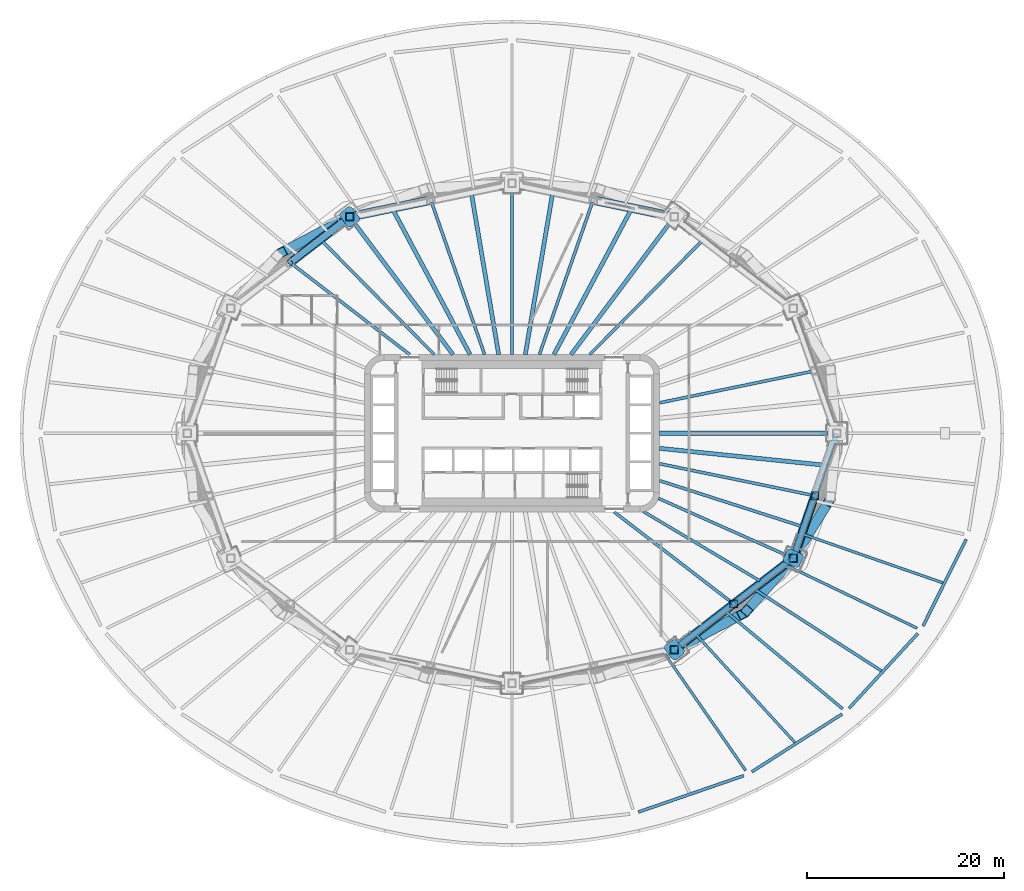
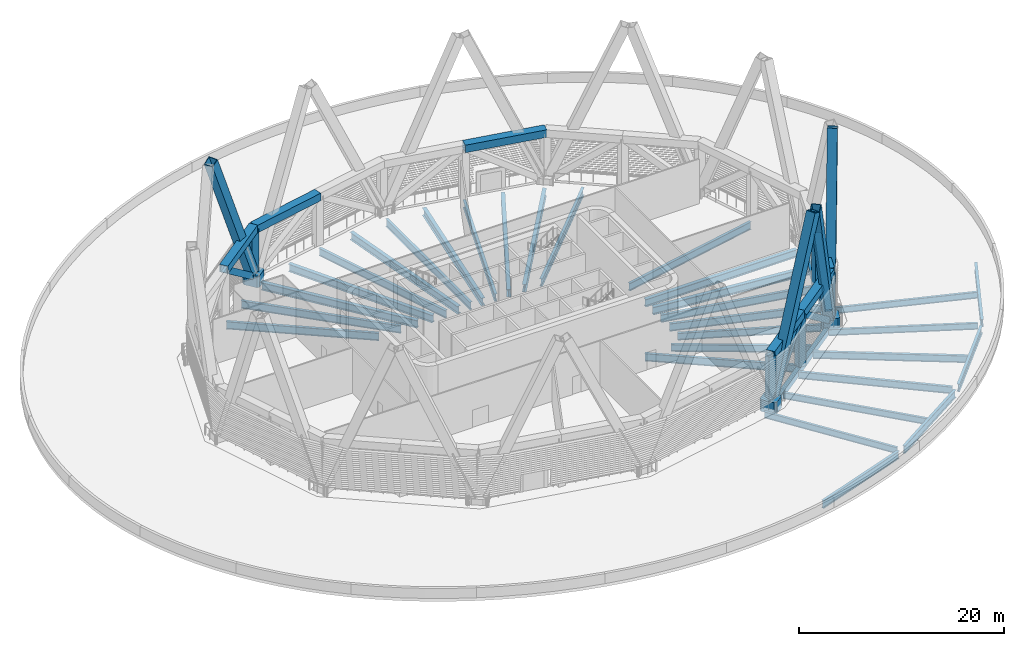
# One storey, part 3 of 27: 32 beams, 22 members.
"""IFC4 building model written with IfcOpenShell, lengths in metres."""

from ifc_helpers import new_model, si_unit, direction, frame, origin, origin_2d, place, context, subcontext, project, spatial, polyline, hollow_rectangle, i_section, outline, extrude, material, material_profile, profile_set, type_object, element, save


model = new_model("IFC4")

# Units and contexts
model_context = context("Model", 3, precision=1e-05, world=origin(), true_north=direction((0.0, 1.0)))
body_context = subcontext(model_context, "Body", "Model", "MODEL_VIEW")
ifc_project = project(units=[si_unit("LENGTHUNIT", "METRE"), si_unit("AREAUNIT", "SQUARE_METRE"), si_unit("VOLUMEUNIT", "CUBIC_METRE"), si_unit("PLANEANGLEUNIT", "RADIAN"), si_unit("MASSUNIT", "GRAM", prefix="KILO")], contexts=[model_context])

# Site, building, storey
site_placement = place(None, origin())
site = spatial("IfcSite", under=ifc_project, at=site_placement, CompositionType="ELEMENT")
building_placement = place(site_placement, origin())
building = spatial("IfcBuilding", under=site, at=building_placement, Name="Sahrelin Media Tower", CompositionType="ELEMENT")
storey_placement = place(building_placement, frame((0.0, 0.0, 44.0)))
storey = spatial("IfcBuildingStorey", under=building, at=storey_placement, Name="L06", CompositionType="ELEMENT", Elevation=44.0)

# Members
ifc_material_1 = material(Name="Steel S460", Category="steel")
ifc_material_profile_1 = material_profile(ifc_material_1, hollow_rectangle(XDim=1.0, YDim=1.0, WallThickness=0.06005859375, at=origin_2d()), Name="Diagrid diagonal DG1")
ifc_profile_set_1 = profile_set([ifc_material_profile_1], Name="Steel S460")
member_type_1 = type_object("IfcMemberType", Name="Diagrid diagonal DG1", PredefinedType="BRACE", material=ifc_profile_set_1)
for number, where, z_axis, x_axis, name in (
    (1, (-16.7646484375, 21.858154296875, 0.699951171875), (-0.347601060043, -0.182475884966, 0.91971520291), (0.464804602076, -0.885413283099, 0.0), "Diagrid diagonal D00-08"),
    (2, (16.7646484375, -21.858154296875, 0.699951171875), (0.347601060043, 0.182475884966, 0.91971520291), (-0.464804602076, 0.885413283099, 0.0), "Diagrid diagonal D00-20"),
):
    element("IfcMember", number, at=place(storey_placement, frame(where, z_axis=z_axis, x_axis=x_axis)), inside=storey, type_object=member_type_1, Name=name, PredefinedType="BRACE", context=body_context, shape_type="SweptSolid", body=[
        extrude(hollow_rectangle(XDim=1.0, YDim=1.0, WallThickness=0.06005859375, at=origin_2d()), origin(), (0.0, 0.0, 1.0), 19.136474609375),
    ])
member_1_placement = place(storey_placement, frame((28.3984375, -12.903564453125, 0.699951171875), z_axis=(-0.240263742988, -0.271151655704, 0.932067654955), x_axis=(0.748449999211, -0.663191223314, 0.0)))
element("IfcMember", 3, at=member_1_placement, inside=storey, type_object=member_type_1, Name="Diagrid diagonal D00-21", PredefinedType="BRACE", context=body_context, shape_type="SweptSolid", body=[
    extrude(hollow_rectangle(XDim=1.0, YDim=1.0, WallThickness=0.06005859375, at=origin_2d()), origin(), (0.0, 0.0, 1.0), 18.8828125),
])
member_2_placement = place(storey_placement, frame((28.7177734375, -12.477783203125, 0.699951171875), z_axis=(0.185846162703, 0.297145993243, 0.936571119835), x_axis=(-0.847831661927, 0.530265474111, 0.0)))
element("IfcMember", 4, at=member_2_placement, inside=storey, type_object=member_type_1, Name="Diagrid diagonal D00-22", PredefinedType="BRACE", context=body_context, shape_type="SweptSolid", body=[
    extrude(hollow_rectangle(XDim=1.0, YDim=1.0, WallThickness=0.06005859375, at=origin_2d()), origin(), (0.0, 0.0, 1.0), 18.7919921875),
])
ifc_material_profile_2 = material_profile(ifc_material_1, outline(polyline([(0.699951171875, -0.75), (0.89990234375, -0.550048828125), (0.89990234375, 0.550048828125), (0.699951171875, 0.75), (-0.699951171875, 0.75), (-0.89990234375, 0.550048828125), (-0.89990234375, -0.550048828125), (-0.699951171875, -0.75), (0.699951171875, -0.75)])), Name="Diagrid node block 1800")
ifc_profile_set_2 = profile_set([ifc_material_profile_2], Name="Steel S460")
member_type_2 = type_object("IfcMemberType", Name="Diagrid node block 1800", PredefinedType="USERDEFINED", material=ifc_profile_set_2)
for number, where, z_axis, x_axis, name in (
    (5, (-16.5, 21.9970703125, -0.699951171875), (0.0, 0.0, 1.0), (-0.600051693363, 0.799961227368, 0.0), "Diagrid node N00-04"),
    (6, (16.5, -21.9970703125, -0.699951171875), (0.0, 0.0, 1.0), (0.600051693363, -0.799961227368, 0.0), "Diagrid node N00-10"),
    (7, (28.578857421875, -12.699951171875, -0.699951171875), (0.0, 0.0, 1.0), (0.913831317054, -0.40609398416, 0.0), "Diagrid node N00-11"),
):
    element("IfcMember", number, at=place(storey_placement, frame(where, z_axis=z_axis, x_axis=x_axis)), inside=storey, type_object=member_type_2, Name=name, ObjectType="NODE", PredefinedType="USERDEFINED", context=body_context, shape_type="SweptSolid", body=[
        extrude(outline(polyline([(0.699951171875, -0.75), (0.89990234375, -0.550048828125), (0.89990234375, 0.550048828125), (0.699951171875, 0.75), (-0.699951171875, 0.75), (-0.89990234375, 0.550048828125), (-0.89990234375, -0.550048828125), (-0.699951171875, -0.75), (0.699951171875, -0.75)])), origin(), (0.0, 0.0, 1.0), 1.39990234375),
    ])

# Beams
ifc_material_profile_3 = material_profile(ifc_material_1, hollow_rectangle(XDim=0.5, YDim=0.699951171875, WallThickness=0.034912109375, at=origin_2d()), Name="Diagrid ring beam RB2")
ifc_profile_set_3 = profile_set([ifc_material_profile_3], Name="Steel S460")
beam_type_1 = type_object("IfcBeamType", Name="Diagrid ring beam RB2", PredefinedType="BEAM", material=ifc_profile_set_3)
beam_1_placement = place(storey_placement, frame((16.5, -21.9970703125, -0.699951171875), z_axis=(0.792443539308, 0.609945273782, 0.0), x_axis=(-0.609945273782, 0.792443539308, 0.0)))
element("IfcBeam", 8, at=beam_1_placement, inside=storey, type_object=beam_type_1, Name="Diagrid ring beam RB00-10", PredefinedType="BEAM", context=body_context, shape_type="SweptSolid", body=[
    extrude(hollow_rectangle(XDim=0.5, YDim=0.699951171875, WallThickness=0.034912109375, at=origin_2d()), origin(), (0.0, 0.0, 1.0), 15.242431640625),
])
beam_2_placement = place(storey_placement, frame((28.578857421875, -12.699951171875, -0.699951171875), z_axis=(0.328770590399, 0.944409815117, 0.0), x_axis=(-0.944409815117, 0.328770590399, 0.0)))
element("IfcBeam", 9, at=beam_2_placement, inside=storey, type_object=beam_type_1, Name="Diagrid ring beam RB00-11", PredefinedType="BEAM", context=body_context, shape_type="SweptSolid", body=[
    extrude(hollow_rectangle(XDim=0.5, YDim=0.699951171875, WallThickness=0.034912109375, at=origin_2d()), origin(), (0.0, 0.0, 1.0), 13.447509765625),
])
ifc_material_2 = material(Name="Steel S355", Category="steel")
ifc_material_profile_4 = material_profile(ifc_material_2, i_section(OverallWidth=0.30322265625, OverallDepth=0.903076171875, WebThickness=0.01513671875, FlangeThickness=0.020263671875, FilletRadius=0.01904296875, at=origin_2d()), Name="UB 914x305x201")
ifc_profile_set_4 = profile_set([ifc_material_profile_4], Name="Steel S355")
beam_type_2 = type_object("IfcBeamType", Name="Podium edge girder PE11", PredefinedType="BEAM", material=ifc_profile_set_4)
beam_3_placement = place(storey_placement, frame((12.848876953125, -38.489990234375, -0.801513671875), z_axis=(0.94527240249, 0.32628221694, 0.0), x_axis=(-0.32628221694, 0.94527240249, 0.0)))
element("IfcBeam", 10, at=beam_3_placement, inside=storey, type_object=beam_type_2, Name="Podium edge girder L06-20", PredefinedType="BEAM", context=body_context, shape_type="SweptSolid", body=[
    extrude(i_section(OverallWidth=0.30322265625, OverallDepth=0.903076171875, WebThickness=0.01513671875, FlangeThickness=0.020263671875, FilletRadius=0.01904296875, at=origin_2d()), origin(), (0.0, 0.0, 1.0), 11.329345703125),
])
beam_4_placement = place(storey_placement, frame((24.37939453125, -34.3984375, -0.801513671875), z_axis=(0.842485743715, 0.538718638657, 0.0), x_axis=(-0.538718638657, 0.842485743715, 0.0)))
element("IfcBeam", 11, at=beam_4_placement, inside=storey, type_object=beam_type_2, Name="Podium edge girder L06-21", PredefinedType="BEAM", context=body_context, shape_type="SweptSolid", body=[
    extrude(i_section(OverallWidth=0.30322265625, OverallDepth=0.903076171875, WebThickness=0.01513671875, FlangeThickness=0.020263671875, FilletRadius=0.01904296875, at=origin_2d()), origin(), (0.0, 0.0, 1.0), 10.87744140625),
])
beam_5_placement = place(storey_placement, frame((34.246337890625, -27.952880859375, -0.801513671875), z_axis=(0.677370529771, 0.735642008995, 0.0), x_axis=(-0.735642008995, 0.677370529771, 0.0)))
element("IfcBeam", 12, at=beam_5_placement, inside=storey, type_object=beam_type_2, Name="Podium edge girder L06-22", PredefinedType="BEAM", context=body_context, shape_type="SweptSolid", body=[
    extrude(i_section(OverallWidth=0.30322265625, OverallDepth=0.903076171875, WebThickness=0.01513671875, FlangeThickness=0.020263671875, FilletRadius=0.01904296875, at=origin_2d()), origin(), (0.0, 0.0, 1.0), 10.340087890625),
])
beam_6_placement = place(storey_placement, frame((41.76953125, -19.596923828125, -0.801513671875), z_axis=(0.445112588569, 0.895474613541, 0.0), x_axis=(-0.895474613541, 0.445112588569, 0.0)))
element("IfcBeam", 13, at=beam_6_placement, inside=storey, type_object=beam_type_2, Name="Podium edge girder L06-23", PredefinedType="BEAM", context=body_context, shape_type="SweptSolid", body=[
    extrude(i_section(OverallWidth=0.30322265625, OverallDepth=0.903076171875, WebThickness=0.01513671875, FlangeThickness=0.020263671875, FilletRadius=0.01904296875, at=origin_2d()), origin(), (0.0, 0.0, 1.0), 9.859619140625),
])
ifc_material_profile_5 = material_profile(ifc_material_2, i_section(OverallWidth=0.291748046875, OverallDepth=0.8349609375, WebThickness=0.013916015625, FlangeThickness=0.018798828125, FilletRadius=0.017822265625, at=origin_2d()), Name="UB 838x292x176")
ifc_profile_set_5 = profile_set([ifc_material_profile_5], Name="Steel S355")
beam_type_3 = type_object("IfcBeamType", Name="Radial primary beam PB10", PredefinedType="BEAM", material=ifc_profile_set_5)
beam_7_placement = place(storey_placement, frame((14.890625, -6.6171875, -0.767578125), z_axis=(0.913833000058, -0.406090196883, 0.0), x_axis=(0.406090196883, 0.913833000058, 0.0)))
element("IfcBeam", 14, at=beam_7_placement, inside=storey, type_object=beam_type_3, Name="Radial beam L06-23", PredefinedType="BEAM", context=body_context, shape_type="SweptSolid", body=[
    extrude(i_section(OverallWidth=0.291748046875, OverallDepth=0.8349609375, WebThickness=0.013916015625, FlangeThickness=0.018798828125, FilletRadius=0.017822265625, at=origin_2d()), origin(), (0.0, 0.0, 1.0), 14.078857421875),
])
beam_8_placement = place(storey_placement, frame((21.84130859375, -18.201171875, -0.767578125), z_axis=(0.768227819125, -0.64017655215, 0.0), x_axis=(0.64017655215, 0.768227819125, 0.0)))
element("IfcBeam", 15, at=beam_8_placement, inside=storey, type_object=beam_type_3, Name="Radial beam L06-22", PredefinedType="BEAM", context=body_context, shape_type="SweptSolid", body=[
    extrude(i_section(OverallWidth=0.291748046875, OverallDepth=0.8349609375, WebThickness=0.013916015625, FlangeThickness=0.018798828125, FilletRadius=0.017822265625, at=origin_2d()), origin(), (0.0, 0.0, 1.0), 15.30029296875),
])
ifc_material_profile_6 = material_profile(ifc_material_2, i_section(OverallWidth=0.30322265625, OverallDepth=0.903076171875, WebThickness=0.01513671875, FlangeThickness=0.020263671875, FilletRadius=0.01904296875, at=origin_2d()), Name="UB 914x305x201")
ifc_profile_set_6 = profile_set([ifc_material_profile_6], Name="Steel S355")
beam_type_4 = type_object("IfcBeamType", Name="Radial primary beam PB11", PredefinedType="BEAM", material=ifc_profile_set_6)
beam_9_placement = place(storey_placement, frame((15.0, 3.093505859375, -0.801513671875), z_axis=(0.979386740116, 0.201994092201, 0.0), x_axis=(-0.201994092201, 0.979386740116, 0.0)))
element("IfcBeam", 16, at=beam_9_placement, inside=storey, type_object=beam_type_4, Name="Radial beam L06-02", PredefinedType="BEAM", context=body_context, shape_type="SweptSolid", body=[
    extrude(i_section(OverallWidth=0.30322265625, OverallDepth=0.903076171875, WebThickness=0.01513671875, FlangeThickness=0.020263671875, FilletRadius=0.01904296875, at=origin_2d()), origin(), (0.0, 0.0, 1.0), 15.86962890625),
])
beam_10_placement = place(storey_placement, frame((2.784912109375, 8.0, -0.801513671875), z_axis=(0.328772234599, 0.944409242731, 0.0), x_axis=(-0.944409242731, 0.328772234599, 0.0)))
element("IfcBeam", 17, at=beam_10_placement, inside=storey, type_object=beam_type_4, Name="Radial beam L06-06", PredefinedType="BEAM", context=body_context, shape_type="SweptSolid", body=[
    extrude(i_section(OverallWidth=0.30322265625, OverallDepth=0.903076171875, WebThickness=0.01513671875, FlangeThickness=0.020263671875, FilletRadius=0.01904296875, at=origin_2d()), origin(), (0.0, 0.0, 1.0), 16.3701171875),
])
beam_11_placement = place(storey_placement, frame((0.0, 8.0, -0.801513671875), z_axis=(0.0, 1.0, 0.0), x_axis=(-1.0, 0.0, 0.0)))
element("IfcBeam", 18, at=beam_11_placement, inside=storey, type_object=beam_type_4, Name="Radial beam L06-07", PredefinedType="BEAM", context=body_context, shape_type="SweptSolid", body=[
    extrude(i_section(OverallWidth=0.30322265625, OverallDepth=0.903076171875, WebThickness=0.01513671875, FlangeThickness=0.020263671875, FilletRadius=0.01904296875, at=origin_2d()), origin(), (0.0, 0.0, 1.0), 16.5),
])
beam_12_placement = place(storey_placement, frame((-2.784912109375, 8.0, -0.801513671875), z_axis=(-0.328772234599, 0.944409242731, 0.0), x_axis=(-0.944409242731, -0.328772234599, 0.0)))
element("IfcBeam", 19, at=beam_12_placement, inside=storey, type_object=beam_type_4, Name="Radial beam L06-08", PredefinedType="BEAM", context=body_context, shape_type="SweptSolid", body=[
    extrude(i_section(OverallWidth=0.30322265625, OverallDepth=0.903076171875, WebThickness=0.01513671875, FlangeThickness=0.020263671875, FilletRadius=0.01904296875, at=origin_2d()), origin(), (0.0, 0.0, 1.0), 16.3701171875),
])
for number, where, z_axis, x_axis, name in (
    (20, (-10.393798828125, 8.0, -0.801513671875), (-0.792438439057, 0.609951899993, 0.0), (-0.609951899993, -0.792438439057, 0.0), "Radial beam L06-10"),
    (21, (10.393798828125, -8.0, -0.801513671875), (0.792438439057, -0.609951899993, 0.0), (0.609951899993, 0.792438439057, 0.0), "Radial beam L06-22"),
):
    element("IfcBeam", number, at=place(storey_placement, frame(where, z_axis=z_axis, x_axis=x_axis)), inside=storey, type_object=beam_type_4, Name=name, PredefinedType="BEAM", context=body_context, shape_type="SweptSolid", body=[
        extrude(i_section(OverallWidth=0.30322265625, OverallDepth=0.903076171875, WebThickness=0.01513671875, FlangeThickness=0.020263671875, FilletRadius=0.01904296875, at=origin_2d()), origin(), (0.0, 0.0, 1.0), 15.068359375),
    ])
beam_13_placement = place(storey_placement, frame((15.0, -3.093505859375, -0.801513671875), z_axis=(0.979386740116, -0.201994092201, 0.0), x_axis=(0.201994092201, 0.979386740116, 0.0)))
element("IfcBeam", 22, at=beam_13_placement, inside=storey, type_object=beam_type_4, Name="Radial beam L06-24", PredefinedType="BEAM", context=body_context, shape_type="SweptSolid", body=[
    extrude(i_section(OverallWidth=0.30322265625, OverallDepth=0.903076171875, WebThickness=0.01513671875, FlangeThickness=0.020263671875, FilletRadius=0.01904296875, at=origin_2d()), origin(), (0.0, 0.0, 1.0), 15.86962890625),
])
ifc_material_profile_7 = material_profile(ifc_material_2, i_section(OverallWidth=0.41845703125, OverallDepth=0.911865234375, WebThickness=0.019287109375, FlangeThickness=0.031982421875, FilletRadius=0.024169921875, at=origin_2d()), Name="UB 914x419x343")
ifc_profile_set_7 = profile_set([ifc_material_profile_7], Name="Steel S355")
beam_type_5 = type_object("IfcBeamType", Name="Radial primary beam PB12", PredefinedType="BEAM", material=ifc_profile_set_7)
beam_14_placement = place(storey_placement, frame((15.0, 0.0, -0.805908203125), z_axis=(1.0, 0.0, 0.0), x_axis=(0.0, 1.0, 0.0)))
element("IfcBeam", 23, at=beam_14_placement, inside=storey, type_object=beam_type_5, Name="Radial beam L06-01", PredefinedType="BEAM", context=body_context, shape_type="SweptSolid", body=[
    extrude(i_section(OverallWidth=0.41845703125, OverallDepth=0.911865234375, WebThickness=0.019287109375, FlangeThickness=0.031982421875, FilletRadius=0.024169921875, at=origin_2d()), origin(), (0.0, 0.0, 1.0), 17.10009765625),
])
for number, where, z_axis, x_axis, name in (
    (24, (6.000732421875, 8.0, -0.805908203125), (0.600054130443, 0.799959399306, 0.0), (-0.799959399306, 0.600054130443, 0.0), "Radial beam L06-05"),
    (25, (-6.000732421875, 8.0, -0.805908203125), (-0.600054130443, 0.799959399306, 0.0), (-0.799959399306, -0.600054130443, 0.0), "Radial beam L06-09"),
):
    element("IfcBeam", number, at=place(storey_placement, frame(where, z_axis=z_axis, x_axis=x_axis)), inside=storey, type_object=beam_type_5, Name=name, PredefinedType="BEAM", context=body_context, shape_type="SweptSolid", body=[
        extrude(i_section(OverallWidth=0.41845703125, OverallDepth=0.911865234375, WebThickness=0.019287109375, FlangeThickness=0.031982421875, FilletRadius=0.024169921875, at=origin_2d()), origin(), (0.0, 0.0, 1.0), 16.59716796875),
    ])
ifc_material_profile_8 = material_profile(ifc_material_2, i_section(OverallWidth=0.26513671875, OverallDepth=0.75390625, WebThickness=0.0126953125, FlangeThickness=0.017578125, FilletRadius=0.0166015625, at=origin_2d()), Name="UB 762x267x147")
ifc_profile_set_8 = profile_set([ifc_material_profile_8], Name="Steel S355")
beam_type_6 = type_object("IfcBeamType", Name="Radial primary beam PB9", PredefinedType="BEAM", material=ifc_profile_set_8)
beam_15_placement = place(storey_placement, frame((15.55224609375, -22.44775390625, -0.72705078125), z_axis=(0.569495914452, -0.821994162645, 0.0), x_axis=(0.821994162645, 0.569495914452, 0.0)))
element("IfcBeam", 26, at=beam_15_placement, inside=storey, type_object=beam_type_6, Name="Radial beam L06-21", PredefinedType="BEAM", context=body_context, shape_type="SweptSolid", body=[
    extrude(i_section(OverallWidth=0.26513671875, OverallDepth=0.75390625, WebThickness=0.0126953125, FlangeThickness=0.017578125, FilletRadius=0.0166015625, at=origin_2d()), origin(), (0.0, 0.0, 1.0), 14.383544921875),
])
beam_16_placement = place(storey_placement, frame((27.99169921875, -13.467529296875, -0.72705078125), z_axis=(0.901128087536, -0.433552960841, 0.0), x_axis=(0.433552960841, 0.901128087536, 0.0)))
element("IfcBeam", 27, at=beam_16_placement, inside=storey, type_object=beam_type_6, Name="Radial beam L06-23", PredefinedType="BEAM", context=body_context, shape_type="SweptSolid", body=[
    extrude(i_section(OverallWidth=0.26513671875, OverallDepth=0.75390625, WebThickness=0.0126953125, FlangeThickness=0.017578125, FilletRadius=0.0166015625, at=origin_2d()), origin(), (0.0, 0.0, 1.0), 14.617431640625),
])
ifc_material_profile_9 = material_profile(ifc_material_2, i_section(OverallWidth=0.291748046875, OverallDepth=0.8349609375, WebThickness=0.013916015625, FlangeThickness=0.018798828125, FilletRadius=0.017822265625, at=origin_2d()), Name="UB 838x292x176")
ifc_profile_set_9 = profile_set([ifc_material_profile_9], Name="Steel S355")
beam_type_7 = type_object("IfcBeamType", Name="Radial secondary beam SB10", PredefinedType="BEAM", material=ifc_profile_set_9)
beam_17_placement = place(storey_placement, frame((13.356201171875, -7.953125, -0.767578125), z_axis=(0.859201566627, -0.511637242493, 0.0), x_axis=(0.511637242493, 0.859201566627, 0.0)))
element("IfcBeam", 28, at=beam_17_placement, inside=storey, type_object=beam_type_7, Name="Secondary beam L06-22", PredefinedType="BEAM", context=body_context, shape_type="SweptSolid", body=[
    extrude(i_section(OverallWidth=0.291748046875, OverallDepth=0.8349609375, WebThickness=0.013916015625, FlangeThickness=0.018798828125, FilletRadius=0.017822265625, at=origin_2d()), origin(), (0.0, 0.0, 1.0), 13.76708984375),
])
beam_18_placement = place(storey_placement, frame((24.780517578125, -15.93896484375, -0.767578125), z_axis=(0.841044109841, -0.540966547304, 0.0), x_axis=(0.540966547304, 0.841044109841, 0.0)))
element("IfcBeam", 29, at=beam_18_placement, inside=storey, type_object=beam_type_7, Name="Secondary beam L06-22", PredefinedType="BEAM", context=body_context, shape_type="SweptSolid", body=[
    extrude(i_section(OverallWidth=0.291748046875, OverallDepth=0.8349609375, WebThickness=0.013916015625, FlangeThickness=0.018798828125, FilletRadius=0.017822265625, at=origin_2d()), origin(), (0.0, 0.0, 1.0), 15.175048828125),
])
ifc_material_profile_10 = material_profile(ifc_material_2, i_section(OverallWidth=0.30322265625, OverallDepth=0.903076171875, WebThickness=0.01513671875, FlangeThickness=0.020263671875, FilletRadius=0.01904296875, at=origin_2d()), Name="UB 914x305x201")
ifc_profile_set_10 = profile_set([ifc_material_profile_10], Name="Steel S355")
beam_type_8 = type_object("IfcBeamType", Name="Radial secondary beam SB11", PredefinedType="BEAM", material=ifc_profile_set_10)
for number, where, z_axis, x_axis, name in (
    (30, (7.901123046875, 8.0, -0.801513671875), (0.702710295219, 0.711476100085, 0.0), (-0.711476100085, 0.702710295219, 0.0), "Secondary beam L06-04"),
    (31, (-7.901123046875, 8.0, -0.801513671875), (-0.702710295219, 0.711476100085, 0.0), (-0.711476100085, -0.702710295219, 0.0), "Secondary beam L06-09"),
):
    element("IfcBeam", number, at=place(storey_placement, frame(where, z_axis=z_axis, x_axis=x_axis)), inside=storey, type_object=beam_type_8, Name=name, PredefinedType="BEAM", context=body_context, shape_type="SweptSolid", body=[
        extrude(i_section(OverallWidth=0.30322265625, OverallDepth=0.903076171875, WebThickness=0.01513671875, FlangeThickness=0.020263671875, FilletRadius=0.01904296875, at=origin_2d()), origin(), (0.0, 0.0, 1.0), 16.20947265625),
    ])
beam_19_placement = place(storey_placement, frame((15.0, -4.81787109375, -0.801513671875), z_axis=(0.952096020669, -0.305799227315, 0.0), x_axis=(0.305799227315, 0.952096020669, 0.0)))
element("IfcBeam", 32, at=beam_19_placement, inside=storey, type_object=beam_type_8, Name="Secondary beam L06-23", PredefinedType="BEAM", context=body_context, shape_type="SweptSolid", body=[
    extrude(i_section(OverallWidth=0.30322265625, OverallDepth=0.903076171875, WebThickness=0.01513671875, FlangeThickness=0.020263671875, FilletRadius=0.01904296875, at=origin_2d()), origin(), (0.0, 0.0, 1.0), 15.169921875),
])
ifc_material_profile_11 = material_profile(ifc_material_2, i_section(OverallWidth=0.41845703125, OverallDepth=0.911865234375, WebThickness=0.019287109375, FlangeThickness=0.031982421875, FilletRadius=0.024169921875, at=origin_2d()), Name="UB 914x419x343")
ifc_profile_set_11 = profile_set([ifc_material_profile_11], Name="Steel S355")
beam_type_9 = type_object("IfcBeamType", Name="Radial secondary beam SB12", PredefinedType="BEAM", material=ifc_profile_set_11)
beam_20_placement = place(storey_placement, frame((4.259765625, 8.0, -0.805908203125), z_axis=(0.469997464364, 0.882667765069, 0.0), x_axis=(-0.882667765069, 0.469997464364, 0.0)))
element("IfcBeam", 33, at=beam_20_placement, inside=storey, type_object=beam_type_9, Name="Secondary beam L06-05", PredefinedType="BEAM", context=body_context, shape_type="SweptSolid", body=[
    extrude(i_section(OverallWidth=0.41845703125, OverallDepth=0.911865234375, WebThickness=0.019287109375, FlangeThickness=0.031982421875, FilletRadius=0.024169921875, at=origin_2d()), origin(), (0.0, 0.0, 1.0), 16.604736328125),
])
for number, where, z_axis, x_axis, name in (
    (34, (1.352783203125, 8.0, -0.805908203125), (0.166717137249, 0.986004764769, 0.0), (-0.986004764769, 0.166717137249, 0.0), "Secondary beam L06-06"),
    (35, (-1.352783203125, 8.0, -0.805908203125), (-0.166717137249, 0.986004764769, 0.0), (-0.986004764769, -0.166717137249, 0.0), "Secondary beam L06-07"),
):
    element("IfcBeam", number, at=place(storey_placement, frame(where, z_axis=z_axis, x_axis=x_axis)), inside=storey, type_object=beam_type_9, Name=name, PredefinedType="BEAM", context=body_context, shape_type="SweptSolid", body=[
        extrude(i_section(OverallWidth=0.41845703125, OverallDepth=0.911865234375, WebThickness=0.019287109375, FlangeThickness=0.031982421875, FilletRadius=0.024169921875, at=origin_2d()), origin(), (0.0, 0.0, 1.0), 16.528564453125),
    ])
beam_21_placement = place(storey_placement, frame((-4.259765625, 8.0, -0.805908203125), z_axis=(-0.469997464364, 0.882667765069, 0.0), x_axis=(-0.882667765069, -0.469997464364, 0.0)))
element("IfcBeam", 36, at=beam_21_placement, inside=storey, type_object=beam_type_9, Name="Secondary beam L06-08", PredefinedType="BEAM", context=body_context, shape_type="SweptSolid", body=[
    extrude(i_section(OverallWidth=0.41845703125, OverallDepth=0.911865234375, WebThickness=0.019287109375, FlangeThickness=0.031982421875, FilletRadius=0.024169921875, at=origin_2d()), origin(), (0.0, 0.0, 1.0), 16.604736328125),
])
beam_22_placement = place(storey_placement, frame((15.0, -1.53076171875, -0.805908203125), z_axis=(0.994834534251, -0.101509849087, 0.0), x_axis=(0.101509849087, 0.994834534251, 0.0)))
element("IfcBeam", 37, at=beam_22_placement, inside=storey, type_object=beam_type_9, Name="Secondary beam L06-24", PredefinedType="BEAM", context=body_context, shape_type="SweptSolid", body=[
    extrude(i_section(OverallWidth=0.41845703125, OverallDepth=0.911865234375, WebThickness=0.019287109375, FlangeThickness=0.031982421875, FilletRadius=0.024169921875, at=origin_2d()), origin(), (0.0, 0.0, 1.0), 16.698486328125),
])
ifc_material_profile_12 = material_profile(ifc_material_2, i_section(OverallWidth=0.26513671875, OverallDepth=0.75390625, WebThickness=0.0126953125, FlangeThickness=0.017578125, FilletRadius=0.0166015625, at=origin_2d()), Name="UB 762x267x147")
ifc_profile_set_12 = profile_set([ifc_material_profile_12], Name="Steel S355")
beam_type_10 = type_object("IfcBeamType", Name="Radial secondary beam SB9", PredefinedType="BEAM", material=ifc_profile_set_12)
beam_23_placement = place(storey_placement, frame((18.796142578125, -20.545166015625, -0.72705078125), z_axis=(0.675008284326, -0.737810149084, 0.0), x_axis=(0.737810149084, 0.675008284326, 0.0)))
element("IfcBeam", 38, at=beam_23_placement, inside=storey, type_object=beam_type_10, Name="Secondary beam L06-21", PredefinedType="BEAM", context=body_context, shape_type="SweptSolid", body=[
    extrude(i_section(OverallWidth=0.26513671875, OverallDepth=0.75390625, WebThickness=0.0126953125, FlangeThickness=0.017578125, FilletRadius=0.0166015625, at=origin_2d()), origin(), (0.0, 0.0, 1.0), 14.7451171875),
])
beam_24_placement = place(storey_placement, frame((29.6787109375, -10.300537109375, -0.72705078125), z_axis=(0.944715588779, -0.32789092137, 0.0), x_axis=(0.32789092137, 0.944715588779, 0.0)))
element("IfcBeam", 39, at=beam_24_placement, inside=storey, type_object=beam_type_10, Name="Secondary beam L06-23", PredefinedType="BEAM", context=body_context, shape_type="SweptSolid", body=[
    extrude(i_section(OverallWidth=0.26513671875, OverallDepth=0.75390625, WebThickness=0.0126953125, FlangeThickness=0.017578125, FilletRadius=0.0166015625, at=origin_2d()), origin(), (0.0, 0.0, 1.0), 14.93408203125),
])

# Members
ifc_material_profile_13 = material_profile(ifc_material_1, hollow_rectangle(XDim=0.89990234375, YDim=0.89990234375, WallThickness=0.050048828125, at=origin_2d()), Name="Transfer truss chord TC")
ifc_profile_set_13 = profile_set([ifc_material_profile_13], Name="Steel S460")
member_type_3 = type_object("IfcMemberType", Name="Transfer truss chord TC", PredefinedType="CHORD", material=ifc_profile_set_13)
for number, where, z_axis, x_axis, name in (
    (40, (16.5, 21.9970703125, 5.800048828125), (-0.979389305257, 0.201981654484, 0.0), (-0.201981654484, -0.979389305257, 0.0), "Transfer truss member BT00-02-T1"),
    (41, (-8.25, 23.698486328125, 5.800048828125), (-0.979389305257, -0.201981654484, 0.0), (0.201981654484, -0.979389305257, 0.0), "Transfer truss member BT00-03-T2"),
):
    element("IfcMember", number, at=place(storey_placement, frame(where, z_axis=z_axis, x_axis=x_axis)), inside=storey, type_object=member_type_3, Name=name, PredefinedType="CHORD", context=body_context, shape_type="SweptSolid", body=[
        extrude(hollow_rectangle(XDim=0.89990234375, YDim=0.89990234375, WallThickness=0.050048828125, at=origin_2d()), origin(), (0.0, 0.0, 1.0), 8.423583984375),
    ])
for number, where, z_axis, x_axis, name in (
    (42, (-16.5, 21.9970703125, 5.800048828125), (-0.792429838397, -0.609963073651, 0.0), (0.609963073651, -0.792429838397, 0.0), "Transfer truss member BT00-04-T1"),
    (43, (16.5, -21.9970703125, 5.800048828125), (0.792429838397, 0.609963073651, 0.0), (-0.609963073651, 0.792429838397, 0.0), "Transfer truss member BT00-10-T1"),
    (44, (22.539306640625, -17.348388671875, 5.800048828125), (0.792457239739, 0.60992747371, 0.0), (-0.60992747371, 0.792457239739, 0.0), "Transfer truss member BT00-10-T2"),
):
    element("IfcMember", number, at=place(storey_placement, frame(where, z_axis=z_axis, x_axis=x_axis)), inside=storey, type_object=member_type_3, Name=name, PredefinedType="CHORD", context=body_context, shape_type="SweptSolid", body=[
        extrude(hollow_rectangle(XDim=0.89990234375, YDim=0.89990234375, WallThickness=0.050048828125, at=origin_2d()), origin(), (0.0, 0.0, 1.0), 7.621337890625),
    ])
member_3_placement = place(storey_placement, frame((28.578857421875, -12.699951171875, 5.800048828125), z_axis=(0.328760034477, 0.944413489808, 0.0), x_axis=(-0.944413489808, 0.328760034477, 0.0)))
element("IfcMember", 45, at=member_3_placement, inside=storey, type_object=member_type_3, Name="Transfer truss member BT00-11-T1", PredefinedType="CHORD", context=body_context, shape_type="SweptSolid", body=[
    extrude(hollow_rectangle(XDim=0.89990234375, YDim=0.89990234375, WallThickness=0.050048828125, at=origin_2d()), origin(), (0.0, 0.0, 1.0), 6.7236328125),
])
ifc_material_profile_14 = material_profile(ifc_material_1, hollow_rectangle(XDim=0.699951171875, YDim=0.699951171875, WallThickness=0.0400390625, at=origin_2d()), Name="Transfer truss diagonal TD")
ifc_profile_set_14 = profile_set([ifc_material_profile_14], Name="Steel S460")
member_type_4 = type_object("IfcMemberType", Name="Transfer truss diagonal TD", PredefinedType="BRACE", material=ifc_profile_set_14)
for number, where, z_axis, x_axis, name in (
    (46, (-17.094482421875, 21.53955078125, 0.57080078125), (-0.630579274775, -0.485389400505, 0.605612836804), (0.609970016037, -0.792424494533, 0.0), "Transfer truss member BT00-04-X1"),
    (47, (17.094482421875, -21.53955078125, 0.57080078125), (0.630579274775, 0.485389400505, 0.605612836804), (-0.609970016037, 0.792424494533, 0.0), "Transfer truss member BT00-10-X1"),
):
    element("IfcMember", number, at=place(storey_placement, frame(where, z_axis=z_axis, x_axis=x_axis)), inside=storey, type_object=member_type_4, Name=name, PredefinedType="BRACE", context=body_context, shape_type="SweptSolid", body=[
        extrude(hollow_rectangle(XDim=0.699951171875, YDim=0.699951171875, WallThickness=0.0400390625, at=origin_2d()), origin(), (0.0, 0.0, 1.0), 8.634521484375),
    ])
member_4_placement = place(storey_placement, frame((27.90283203125, -13.22021484375, 0.649169921875), z_axis=(-0.630606953825, -0.485362692076, 0.605605421812), x_axis=(0.609932127259, -0.792453658038, 0.0)))
element("IfcMember", 48, at=member_4_placement, inside=storey, type_object=member_type_4, Name="Transfer truss member BT00-10-X2", PredefinedType="BRACE", context=body_context, shape_type="SweptSolid", body=[
    extrude(hollow_rectangle(XDim=0.699951171875, YDim=0.699951171875, WallThickness=0.0400390625, at=origin_2d()), origin(), (0.0, 0.0, 1.0), 8.50537109375),
])
member_5_placement = place(storey_placement, frame((28.826171875, -11.9892578125, 0.649169921875), z_axis=(0.248946069278, 0.715104627307, 0.653185445793), x_axis=(-0.944409059294, 0.328772761528, 0.0)))
element("IfcMember", 49, at=member_5_placement, inside=storey, type_object=member_type_4, Name="Transfer truss member BT00-11-X1", PredefinedType="BRACE", context=body_context, shape_type="SweptSolid", body=[
    extrude(hollow_rectangle(XDim=0.699951171875, YDim=0.699951171875, WallThickness=0.0400390625, at=origin_2d()), origin(), (0.0, 0.0, 1.0), 7.8857421875),
])
ifc_material_profile_15 = material_profile(ifc_material_1, hollow_rectangle(XDim=0.800048828125, YDim=0.800048828125, WallThickness=0.044921875, at=origin_2d()), Name="Transfer truss post TP")
ifc_profile_set_15 = profile_set([ifc_material_profile_15], Name="Steel S460")
member_type_5 = type_object("IfcMemberType", Name="Transfer truss post TP", PredefinedType="POST", material=ifc_profile_set_15)
for number, where, z_axis, x_axis, name in (
    (50, (-16.5, 21.9970703125, 0.699951171875), (0.0, 0.0, 1.0), (1.0, 0.0, 0.0), "Transfer truss member BT00-04-P0"),
    (51, (16.5, -21.9970703125, 0.699951171875), (0.0, 0.0, 1.0), (1.0, 0.0, 0.0), "Transfer truss member BT00-10-P0"),
):
    element("IfcMember", number, at=place(storey_placement, frame(where, z_axis=z_axis, x_axis=x_axis)), inside=storey, type_object=member_type_5, Name=name, PredefinedType="POST", context=body_context, shape_type="SweptSolid", body=[
        extrude(hollow_rectangle(XDim=0.800048828125, YDim=0.800048828125, WallThickness=0.044921875, at=origin_2d()), origin(), (0.0, 0.0, 1.0), 5.10009765625),
    ])
member_6_placement = place(storey_placement, frame((22.539306640625, -17.348388671875, -0.3701171875), z_axis=(0.0, 0.0, 1.0), x_axis=(1.0, 0.0, 0.0)))
element("IfcMember", 52, at=member_6_placement, inside=storey, type_object=member_type_5, Name="Transfer truss member BT00-10-P1", PredefinedType="POST", context=body_context, shape_type="SweptSolid", body=[
    extrude(hollow_rectangle(XDim=0.800048828125, YDim=0.800048828125, WallThickness=0.044921875, at=origin_2d()), origin(), (0.0, 0.0, 1.0), 6.170166015625),
])
member_7_placement = place(storey_placement, frame((28.578857421875, -12.699951171875, 0.699951171875), z_axis=(0.0, 0.0, 1.0), x_axis=(1.0, 0.0, 0.0)))
element("IfcMember", 53, at=member_7_placement, inside=storey, type_object=member_type_5, Name="Transfer truss member BT00-11-P0", PredefinedType="POST", context=body_context, shape_type="SweptSolid", body=[
    extrude(hollow_rectangle(XDim=0.800048828125, YDim=0.800048828125, WallThickness=0.044921875, at=origin_2d()), origin(), (0.0, 0.0, 1.0), 5.10009765625),
])
member_8_placement = place(storey_placement, frame((30.789306640625, -6.35009765625, -0.3701171875), z_axis=(0.0, 0.0, 1.0), x_axis=(1.0, 0.0, 0.0)))
element("IfcMember", 54, at=member_8_placement, inside=storey, type_object=member_type_5, Name="Transfer truss member BT00-11-P1", PredefinedType="POST", context=body_context, shape_type="SweptSolid", body=[
    extrude(hollow_rectangle(XDim=0.800048828125, YDim=0.800048828125, WallThickness=0.044921875, at=origin_2d()), origin(), (0.0, 0.0, 1.0), 6.170166015625),
])

save(model, "model.ifc")
